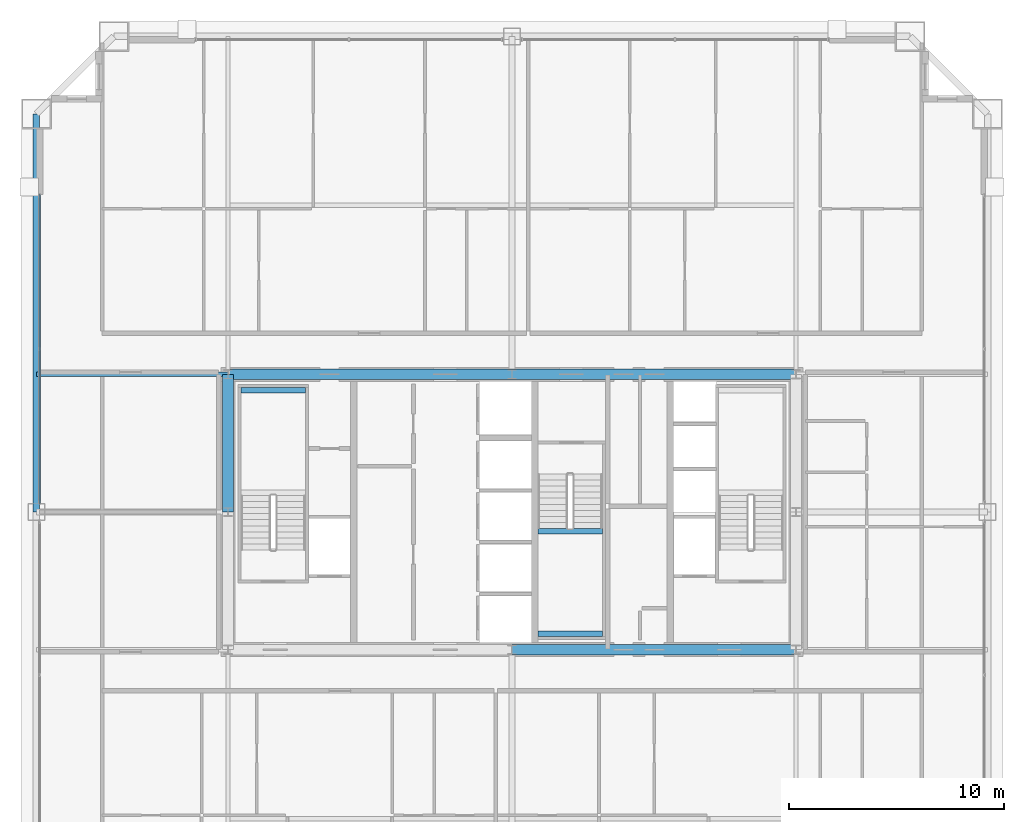
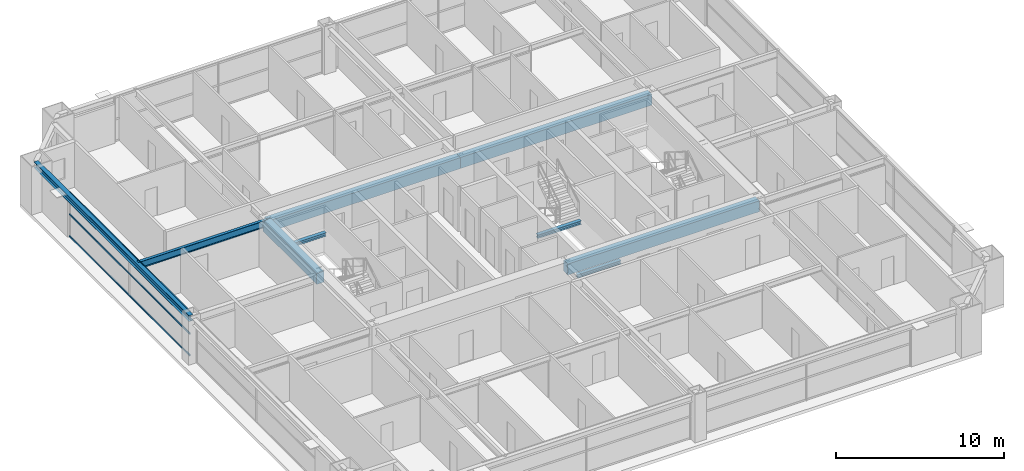
# One storey, part 15 of 38: 9 beams, 3 members, 1 element without a shape of its own.
"""IFC4 building model written with IfcOpenShell, lengths in metres."""

from ifc_helpers import new_model, si_unit, direction, frame, origin, origin_2d, place, context, subcontext, project, spatial, rectangle, hollow_rectangle, i_section, extrude, source, transform, mapped, material, layer, layer_set, material_profile, profile_set, type_object, element, aggregate, save


model = new_model("IFC4")

# Units and contexts
model_context = context("Model", 3, precision=1e-05, world=origin(), true_north=direction((0.0, 1.0)))
body_context = subcontext(model_context, "Body", "Model", "MODEL_VIEW")
ifc_project = project(units=[si_unit("LENGTHUNIT", "METRE"), si_unit("AREAUNIT", "SQUARE_METRE"), si_unit("VOLUMEUNIT", "CUBIC_METRE"), si_unit("PLANEANGLEUNIT", "RADIAN"), si_unit("MASSUNIT", "GRAM", prefix="KILO"), si_unit("THERMODYNAMICTEMPERATUREUNIT", "KELVIN"), si_unit("POWERUNIT", "WATT")], contexts=[model_context])

# Site, building, storey
site_placement = place(None, origin())
site = spatial("IfcSite", under=ifc_project, at=site_placement, CompositionType="ELEMENT")
building_placement = place(site_placement, origin())
building = spatial("IfcBuilding", under=site, at=building_placement, Name="Yuzanri Waterfront Tower", CompositionType="ELEMENT")
storey_placement = place(building_placement, frame((0.0, 0.0, 195.0)))
storey = spatial("IfcBuildingStorey", under=building, at=storey_placement, Name="L51", CompositionType="ELEMENT", Elevation=195.0)

# Beams
ifc_material_1 = material(Name="Steel Q355B", Category="steel")
ifc_material_profile_1 = material_profile(ifc_material_1, i_section(OverallWidth=0.300048828125, OverallDepth=0.43994140625, WebThickness=0.010986328125, FlangeThickness=0.01806640625, at=origin_2d()), Name="HM 440x300x11x18")
ifc_profile_set_1 = profile_set([ifc_material_profile_1], Name="Steel Q355B")
beam_type_1 = type_object("IfcBeamType", Name="Perimeter Spandrel Q355B HM 440x300", PredefinedType="SPANDREL", material=ifc_profile_set_1)
shared_shape_1 = source(origin(), body_context, "Body", "SweptSolid", [
    extrude(i_section(OverallWidth=0.300048828125, OverallDepth=0.43994140625, WebThickness=0.010986328125, FlangeThickness=0.01806640625, at=origin_2d()), origin(), (0.0, 0.0, 1.0), 18.5),
])
beam_1_placement = place(storey_placement, frame((14.89990234375, 44.300048828125, 3.06005859375), z_axis=(0.0, -1.0, 0.0), x_axis=(1.0, 0.0, 0.0)))
element("IfcBeam", 1, at=beam_1_placement, inside=storey, type_object=beam_type_1, Name="L51 Perimeter Spandrel W3-W2", PredefinedType="SPANDREL", context=body_context, shape_type="MappedRepresentation", body=[
    mapped(shared_shape_1, transform((0.0, 0.0, 0.0), scale=1.0)),
])
ifc_material_2 = material(Name="Steel Q355B", Category="steel")
ifc_material_profile_2 = material_profile(ifc_material_2, i_section(OverallWidth=0.199951171875, OverallDepth=0.5, WebThickness=0.010009765625, FlangeThickness=0.01611328125, at=origin_2d()), Name="HN 500x200x10x16")
ifc_profile_set_2 = profile_set([ifc_material_profile_2], Name="Steel Q355B")
beam_type_2 = type_object("IfcBeamType", Name="Secondary Floor Beam Q355B HN 500x200", PredefinedType="BEAM", material=ifc_profile_set_2)
shared_shape_2 = source(origin(), body_context, "Body", "SweptSolid", [
    extrude(i_section(OverallWidth=0.199951171875, OverallDepth=0.5, WebThickness=0.010009765625, FlangeThickness=0.01611328125, at=origin_2d()), origin(), (0.0, 0.0, 1.0), 8.900146484375),
])
beam_2_placement = place(storey_placement, frame((23.800048828125, 32.199951171875, 3.030029296875), z_axis=(-1.0, 0.0, 0.0), x_axis=(0.0, -1.0, 0.0)))
element("IfcBeam", 2, at=beam_2_placement, inside=storey, type_object=beam_type_2, Name="L51 West-North Core Line Beam", PredefinedType="BEAM", context=body_context, shape_type="MappedRepresentation", body=[
    mapped(shared_shape_2, transform((0.0, 0.0, 0.0), scale=1.0)),
])
ifc_material_3 = material(Name="Concrete C50", Category="concrete")
ifc_material_profile_3 = material_profile(ifc_material_3, rectangle(XDim=0.5, YDim=0.800048828125, at=origin_2d()), Name="RC 500x800")
ifc_profile_set_3 = profile_set([ifc_material_profile_3], Name="Concrete C50")
beam_type_3 = type_object("IfcBeamType", Name="Core Coupling Lintel Concrete C50 500x800", PredefinedType="LINTEL", material=ifc_profile_set_3)
shared_shape_3 = source(origin(), body_context, "Body", "SweptSolid", [
    extrude(rectangle(XDim=0.5, YDim=0.800048828125, at=origin_2d()), origin(), (0.0, 0.0, 1.0), 13.199951171875),
])
for number, where, z_axis, x_axis, name in (
    (3, (37.0, 19.39990234375, 2.8798828125), (1.0, 0.0, 0.0), (0.0, 1.0, 0.0), "L51 Core Tie Beam CS2"),
    (4, (23.800048828125, 32.199951171875, 2.8798828125), (1.0, 0.0, 0.0), (0.0, 1.0, 0.0), "L51 Core Tie Beam CN1"),
    (5, (37.0, 32.199951171875, 2.8798828125), (1.0, 0.0, 0.0), (0.0, 1.0, 0.0), "L51 Core Tie Beam CN2"),
):
    element("IfcBeam", number, at=place(storey_placement, frame(where, z_axis=z_axis, x_axis=x_axis)), inside=storey, type_object=beam_type_3, Name=name, PredefinedType="LINTEL", context=body_context, shape_type="MappedRepresentation", body=[
        mapped(shared_shape_3, transform((0.0, 0.0, 0.0), scale=1.0)),
    ])
shared_shape_4 = source(origin(), body_context, "Body", "SweptSolid", [
    extrude(rectangle(XDim=0.5, YDim=0.800048828125, at=origin_2d()), origin(), (0.0, 0.0, 1.0), 6.39990234375),
])
beam_3_placement = place(storey_placement, frame((23.800048828125, 25.800048828125, 2.8798828125), z_axis=(0.0, 1.0, 0.0), x_axis=(-1.0, 0.0, 0.0)))
element("IfcBeam", 6, at=beam_3_placement, inside=storey, type_object=beam_type_3, Name="L51 Core Tie Beam CW2", PredefinedType="LINTEL", context=body_context, shape_type="MappedRepresentation", body=[
    mapped(shared_shape_4, transform((0.0, 0.0, 0.0), scale=1.0)),
])

# Curtain wall, members
ifc_material_4 = material(Name="Anodized Architectural Bronze", Category="metal")
ifc_layer = layer(ifc_material_4, 0.159912109375)
ifc_layer_set = layer_set([ifc_layer], Name="Anodized Architectural Bronze")
curtain_wall_type = type_object("IfcCurtainWallType", Name="Anodized Bronze Mid-Rise Residential Acoustic Unitized Curtain Wall 7200", PredefinedType="NOTDEFINED", material=ifc_layer_set)
curtain_wall_placement = place(storey_placement, origin())
curtain_wall = element("IfcCurtainWall", 7, at=curtain_wall_placement, inside=storey, type_object=curtain_wall_type, Name="L51 Curtain Wall CW-L51-WR", PredefinedType="NOTDEFINED")
ifc_material_5 = material(Name="Anodized Architectural Bronze", Category="metal")
ifc_material_profile_4 = material_profile(ifc_material_5, hollow_rectangle(XDim=0.06494140625, YDim=0.1201171875, WallThickness=0.00341796875, at=origin_2d()), Name="CWT 65x120")
ifc_profile_set_4 = profile_set([ifc_material_profile_4], Name="Anodized Architectural Bronze")
member_type = type_object("IfcMemberType", Name="Anodized Bronze Secondary Curtain-Wall Transom 65x120", PredefinedType="USERDEFINED", material=ifc_profile_set_4)
shared_shape_5 = source(origin(), body_context, "Body", "SweptSolid", [
    extrude(hollow_rectangle(XDim=0.06494140625, YDim=0.1201171875, WallThickness=0.00341796875, at=origin_2d()), origin(), (0.0, 0.0, 1.0), 14.35009765625),
])
member_1_placement = place(storey_placement, frame((15.050048828125, 26.199951171875, 0.050048828125), z_axis=(0.0, 1.0, 0.0), x_axis=(-1.0, 0.0, 0.0)))
member_1 = element("IfcMember", 8, at=member_1_placement, type_object=member_type, Name="CW-L51-WR Transom 1", ObjectType="TRANSOM", PredefinedType="USERDEFINED", context=body_context, shape_type="MappedRepresentation", body=[
    mapped(shared_shape_5, transform((0.0, 0.0, 0.0), scale=1.0)),
])
member_2_placement = place(storey_placement, frame((15.050048828125, 26.199951171875, 1.639892578125), z_axis=(0.0, 1.0, 0.0), x_axis=(-1.0, 0.0, 0.0)))
member_2 = element("IfcMember", 9, at=member_2_placement, type_object=member_type, Name="CW-L51-WR Transom 2", ObjectType="TRANSOM", PredefinedType="USERDEFINED", context=body_context, shape_type="MappedRepresentation", body=[
    mapped(shared_shape_5, transform((0.0, 0.0, 0.0), scale=1.0)),
])
member_3_placement = place(storey_placement, frame((15.050048828125, 26.199951171875, 3.22998046875), z_axis=(0.0, 1.0, 0.0), x_axis=(-1.0, 0.0, 0.0)))
member_3 = element("IfcMember", 10, at=member_3_placement, type_object=member_type, Name="CW-L51-WR Transom 3", ObjectType="TRANSOM", PredefinedType="USERDEFINED", context=body_context, shape_type="MappedRepresentation", body=[
    mapped(shared_shape_5, transform((0.0, 0.0, 0.0), scale=1.0)),
])
aggregate(curtain_wall, [member_1, member_2, member_3])

# Beams
ifc_material_6 = material(Name="Steel Q355B", Category="steel")
ifc_material_profile_5 = material_profile(ifc_material_6, i_section(OverallWidth=0.25, OverallDepth=0.25, WebThickness=0.009033203125, FlangeThickness=0.013916015625, at=origin_2d()), Name="HW 250x250x9x14")
ifc_profile_set_5 = profile_set([ifc_material_profile_5], Name="Steel Q355B")
beam_type_4 = type_object("IfcBeamType", Name="Stair Landing Support Beam Q355B HW 250x250", PredefinedType="BEAM", material=ifc_profile_set_5)
shared_shape_6 = source(origin(), body_context, "Body", "SweptSolid", [
    extrude(i_section(OverallWidth=0.25, OverallDepth=0.25, WebThickness=0.009033203125, FlangeThickness=0.013916015625, at=origin_2d()), origin(), (0.0, 0.0, 1.0), 3.0),
])
for number, where, z_axis, x_axis, name in (
    (11, (24.39990234375, 31.449951171875, 1.425048828125), (1.0, 0.0, 0.0), (0.0, 1.0, 0.0), "L51 Stair Landing Support Beam ST-01-L51-L1-2"),
    (12, (38.199951171875, 20.14990234375, 1.425048828125), (1.0, 0.0, 0.0), (0.0, 1.0, 0.0), "L51 Stair Landing Support Beam ST-03-L51-L1-1"),
    (13, (38.199951171875, 24.909912109375, 1.425048828125), (1.0, 0.0, 0.0), (0.0, 1.0, 0.0), "L51 Stair Landing Support Beam ST-03-L51-L1-2"),
):
    element("IfcBeam", number, at=place(storey_placement, frame(where, z_axis=z_axis, x_axis=x_axis)), inside=storey, type_object=beam_type_4, Name=name, PredefinedType="BEAM", context=body_context, shape_type="MappedRepresentation", body=[
        mapped(shared_shape_6, transform((0.0, 0.0, 0.0), scale=1.0)),
    ])

save(model, "model.ifc")
